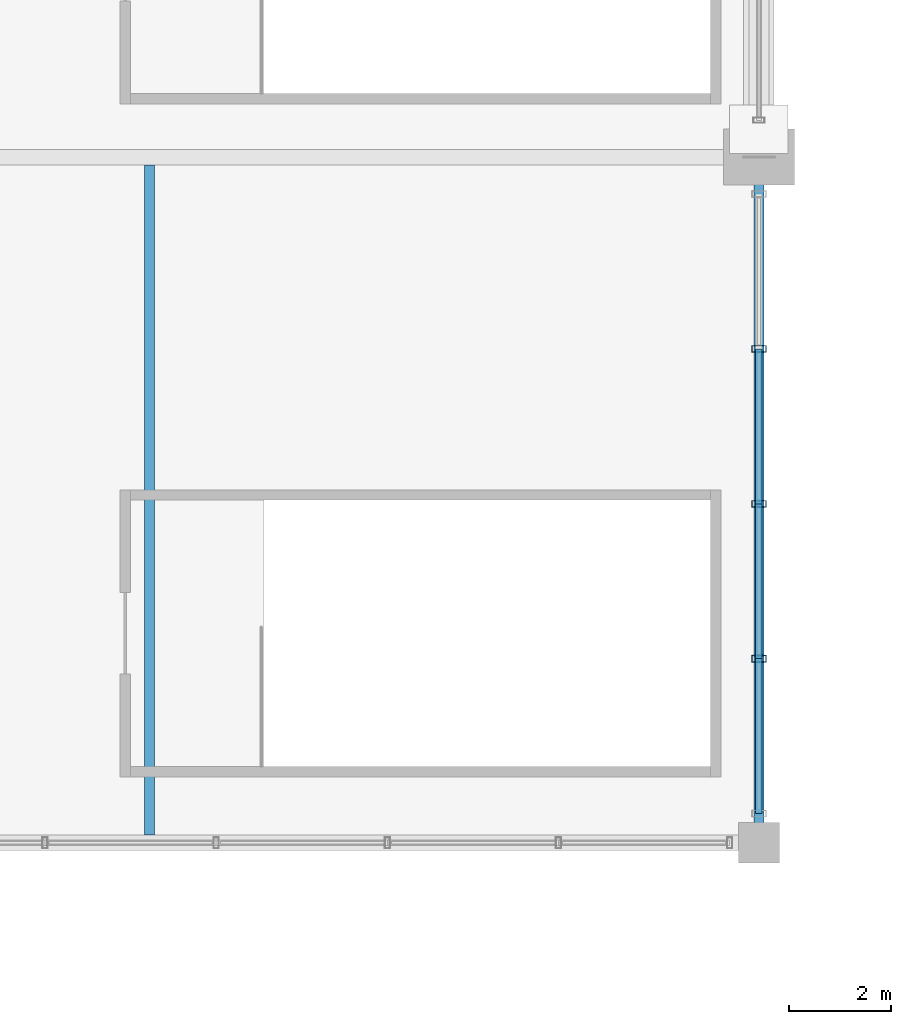
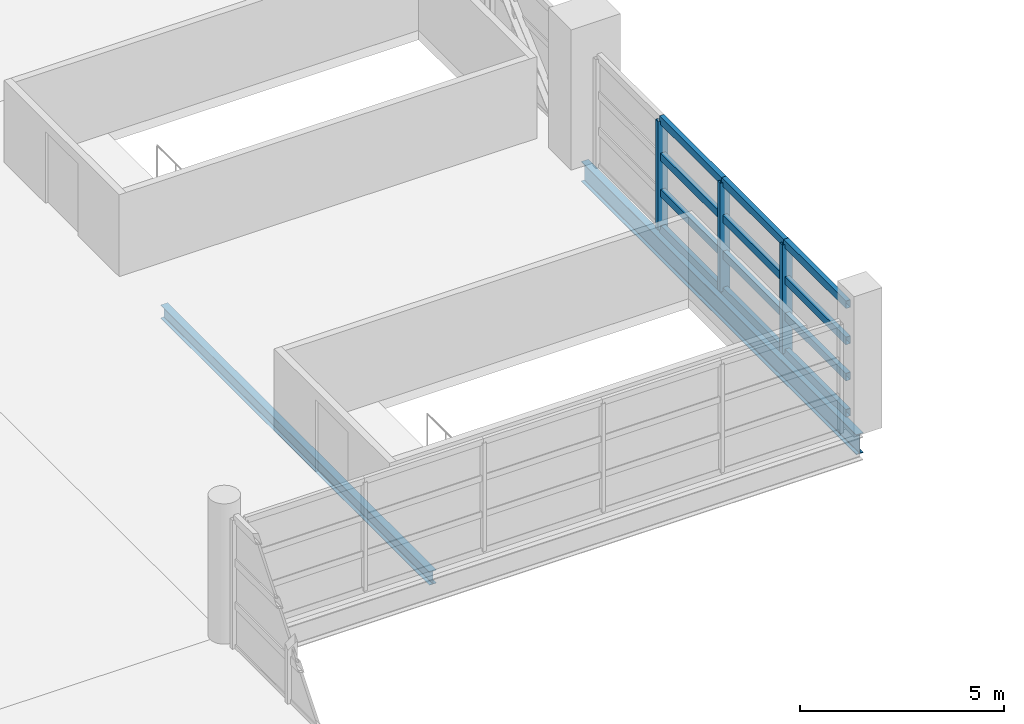
# One storey, part 23 of 136: 15 members, 2 beams, 1 element without a shape of its own.
"""IFC4 building model written with IfcOpenShell, lengths in metres."""

from ifc_helpers import new_model, si_unit, direction, frame, origin, origin_2d, place, context, subcontext, project, spatial, hollow_rectangle, i_section, extrude, material, material_profile, profile_set, type_object, element, aggregate, save


model = new_model("IFC4")

# Units and contexts
model_context = context("Model", 3, precision=1e-05, world=origin(), true_north=direction((0.0, 1.0)))
body_context = subcontext(model_context, "Body", "Model", "MODEL_VIEW")
ifc_project = project(units=[si_unit("LENGTHUNIT", "METRE"), si_unit("AREAUNIT", "SQUARE_METRE"), si_unit("VOLUMEUNIT", "CUBIC_METRE"), si_unit("PLANEANGLEUNIT", "RADIAN"), si_unit("MASSUNIT", "GRAM", prefix="KILO")], contexts=[model_context])

# Site, building, storey
site_placement = place(None, origin())
site = spatial("IfcSite", under=ifc_project, at=site_placement, CompositionType="ELEMENT")
building_placement = place(site_placement, origin())
building = spatial("IfcBuilding", under=site, at=building_placement, Name="Chuanluo Vaults Station", CompositionType="ELEMENT")
storey_placement = place(building_placement, frame((0.0, 0.0, 6.60009765625)))
storey = spatial("IfcBuildingStorey", under=building, at=storey_placement, Name="L01", CompositionType="ELEMENT", Elevation=6.60009765625)

# Beams
ifc_material_1 = material(Name="Steel Q355C", Category="steel")
ifc_material_profile_1 = material_profile(ifc_material_1, i_section(OverallWidth=0.199951171875, OverallDepth=0.60009765625, WebThickness=0.010986328125, FlangeThickness=0.01708984375, FilletRadius=0.01806640625, at=origin_2d()))
ifc_profile_set_1 = profile_set([ifc_material_profile_1], Name="Steel Q355C")
beam_type_1 = type_object("IfcBeamType", Name="BM-GRD-600", PredefinedType="USERDEFINED", material=ifc_profile_set_1)
beam_1_placement = place(storey_placement, frame((108.0, 54.0, -0.580078125), z_axis=(0.0, 1.0, 0.0), x_axis=(-1.0, 0.0, 0.0)))
element("IfcBeam", 1, at=beam_1_placement, inside=storey, type_object=beam_type_1, Name="Floor girder BM:GY:L01:0447", ObjectType="GIRDER", PredefinedType="USERDEFINED", context=body_context, shape_type="SweptSolid", body=[
    extrude(i_section(OverallWidth=0.199951171875, OverallDepth=0.60009765625, WebThickness=0.010986328125, FlangeThickness=0.01708984375, FilletRadius=0.01806640625, at=origin_2d()), origin(), (0.0, 0.0, 1.0), 13.5),
])
ifc_material_2 = material(Name="Steel Q355C", Category="steel")
ifc_material_profile_2 = material_profile(ifc_material_2, i_section(OverallWidth=0.199951171875, OverallDepth=0.39990234375, WebThickness=0.008056640625, FlangeThickness=0.012939453125, FilletRadius=0.01611328125, at=origin_2d()))
ifc_profile_set_2 = profile_set([ifc_material_profile_2], Name="Steel Q355C")
beam_type_2 = type_object("IfcBeamType", Name="BM-SEC-400", PredefinedType="BEAM", material=ifc_profile_set_2)
beam_2_placement = place(storey_placement, frame((96.0, 54.155029296875, -0.47998046875), z_axis=(0.0, 1.0, 0.0), x_axis=(-1.0, 0.0, 0.0)))
element("IfcBeam", 2, at=beam_2_placement, inside=storey, type_object=beam_type_2, Name="Composite secondary joist 0136", PredefinedType="BEAM", context=body_context, shape_type="SweptSolid", body=[
    extrude(i_section(OverallWidth=0.199951171875, OverallDepth=0.39990234375, WebThickness=0.008056640625, FlangeThickness=0.012939453125, FilletRadius=0.01611328125, at=origin_2d()), origin(), (0.0, 0.0, 1.0), 13.18994140625),
])

# Curtain wall, members
ifc_material_3 = material(Name="Anodised aluminium 6063-T6", Category="aluminium")
curtain_wall_type = type_object("IfcCurtainWallType", Name="CW-SYS-22", PredefinedType="NOTDEFINED", material=ifc_material_3)
curtain_wall_placement = place(storey_placement, origin())
curtain_wall = element("IfcCurtainWall", 3, at=curtain_wall_placement, inside=storey, type_object=curtain_wall_type, Name="Over-track east hall CW 54", PredefinedType="NOTDEFINED")
ifc_material_4 = material(Name="Anodised aluminium 6063-T6", Category="aluminium")
ifc_material_profile_3 = material_profile(ifc_material_4, hollow_rectangle(XDim=0.1298828125, YDim=0.280029296875, WallThickness=0.007080078125, at=origin_2d()))
ifc_profile_set_3 = profile_set([ifc_material_profile_3], Name="Anodised aluminium 6063-T6")
member_type_1 = type_object("IfcMemberType", Name="CWM-180", PredefinedType="MULLION", material=ifc_profile_set_3)
member_1_placement = place(storey_placement, frame((108.0, 63.72509765625, 0.0), z_axis=(0.0, 0.0, 1.0), x_axis=(0.0, -1.0, 0.0)))
member_1 = element("IfcMember", 4, at=member_1_placement, type_object=member_type_1, Name="Over-track east hall CW 54 mullion 2", PredefinedType="MULLION", context=body_context, shape_type="SweptSolid", body=[
    extrude(hollow_rectangle(XDim=0.1298828125, YDim=0.280029296875, WallThickness=0.007080078125, at=origin_2d()), origin(), (0.0, 0.0, 1.0), 3.25),
])
member_2_placement = place(storey_placement, frame((108.0, 60.675048828125, 0.0), z_axis=(0.0, 0.0, 1.0), x_axis=(0.0, -1.0, 0.0)))
member_2 = element("IfcMember", 5, at=member_2_placement, type_object=member_type_1, Name="Over-track east hall CW 54 mullion 3", PredefinedType="MULLION", context=body_context, shape_type="SweptSolid", body=[
    extrude(hollow_rectangle(XDim=0.1298828125, YDim=0.280029296875, WallThickness=0.007080078125, at=origin_2d()), origin(), (0.0, 0.0, 1.0), 3.25),
])
member_3_placement = place(storey_placement, frame((108.0, 57.625, 0.0), z_axis=(0.0, 0.0, 1.0), x_axis=(0.0, -1.0, 0.0)))
member_3 = element("IfcMember", 6, at=member_3_placement, type_object=member_type_1, Name="Over-track east hall CW 54 mullion 4", PredefinedType="MULLION", context=body_context, shape_type="SweptSolid", body=[
    extrude(hollow_rectangle(XDim=0.1298828125, YDim=0.280029296875, WallThickness=0.007080078125, at=origin_2d()), origin(), (0.0, 0.0, 1.0), 3.25),
])
ifc_material_5 = material(Name="Anodised aluminium 6063-T6", Category="aluminium")
ifc_material_profile_4 = material_profile(ifc_material_5, hollow_rectangle(XDim=0.1298828125, YDim=0.22998046875, WallThickness=0.006103515625, at=origin_2d()))
ifc_profile_set_4 = profile_set([ifc_material_profile_4], Name="Anodised aluminium 6063-T6")
member_type_2 = type_object("IfcMemberType", Name="CWT-150", PredefinedType="USERDEFINED", material=ifc_profile_set_4)
member_4_placement = place(storey_placement, frame((108.0, 63.72509765625, 0.0), z_axis=(0.0, -1.0, 0.0), x_axis=(1.0, 0.0, 0.0)))
member_4 = element("IfcMember", 7, at=member_4_placement, type_object=member_type_2, Name="Over-track east hall CW 54 transom 2.1", ObjectType="TRANSOM", PredefinedType="USERDEFINED", context=body_context, shape_type="SweptSolid", body=[
    extrude(hollow_rectangle(XDim=0.1298828125, YDim=0.22998046875, WallThickness=0.006103515625, at=origin_2d()), origin(), (0.0, 0.0, 1.0), 3.050048828125),
])
member_5_placement = place(storey_placement, frame((108.0, 63.72509765625, 1.083251953125), z_axis=(0.0, -1.0, 0.0), x_axis=(1.0, 0.0, 0.0)))
member_5 = element("IfcMember", 8, at=member_5_placement, type_object=member_type_2, Name="Over-track east hall CW 54 transom 2.2", ObjectType="TRANSOM", PredefinedType="USERDEFINED", context=body_context, shape_type="SweptSolid", body=[
    extrude(hollow_rectangle(XDim=0.1298828125, YDim=0.22998046875, WallThickness=0.006103515625, at=origin_2d()), origin(), (0.0, 0.0, 1.0), 3.050048828125),
])
member_6_placement = place(storey_placement, frame((108.0, 63.72509765625, 2.16650390625), z_axis=(0.0, -1.0, 0.0), x_axis=(1.0, 0.0, 0.0)))
member_6 = element("IfcMember", 9, at=member_6_placement, type_object=member_type_2, Name="Over-track east hall CW 54 transom 2.3", ObjectType="TRANSOM", PredefinedType="USERDEFINED", context=body_context, shape_type="SweptSolid", body=[
    extrude(hollow_rectangle(XDim=0.1298828125, YDim=0.22998046875, WallThickness=0.006103515625, at=origin_2d()), origin(), (0.0, 0.0, 1.0), 3.050048828125),
])
member_7_placement = place(storey_placement, frame((108.0, 63.72509765625, 3.25), z_axis=(0.0, -1.0, 0.0), x_axis=(1.0, 0.0, 0.0)))
member_7 = element("IfcMember", 10, at=member_7_placement, type_object=member_type_2, Name="Over-track east hall CW 54 transom 2.4", ObjectType="TRANSOM", PredefinedType="USERDEFINED", context=body_context, shape_type="SweptSolid", body=[
    extrude(hollow_rectangle(XDim=0.1298828125, YDim=0.22998046875, WallThickness=0.006103515625, at=origin_2d()), origin(), (0.0, 0.0, 1.0), 3.050048828125),
])
member_8_placement = place(storey_placement, frame((108.0, 60.675048828125, 0.0), z_axis=(0.0, -1.0, 0.0), x_axis=(1.0, 0.0, 0.0)))
member_8 = element("IfcMember", 11, at=member_8_placement, type_object=member_type_2, Name="Over-track east hall CW 54 transom 3.1", ObjectType="TRANSOM", PredefinedType="USERDEFINED", context=body_context, shape_type="SweptSolid", body=[
    extrude(hollow_rectangle(XDim=0.1298828125, YDim=0.22998046875, WallThickness=0.006103515625, at=origin_2d()), origin(), (0.0, 0.0, 1.0), 3.050048828125),
])
member_9_placement = place(storey_placement, frame((108.0, 60.675048828125, 1.083251953125), z_axis=(0.0, -1.0, 0.0), x_axis=(1.0, 0.0, 0.0)))
member_9 = element("IfcMember", 12, at=member_9_placement, type_object=member_type_2, Name="Over-track east hall CW 54 transom 3.2", ObjectType="TRANSOM", PredefinedType="USERDEFINED", context=body_context, shape_type="SweptSolid", body=[
    extrude(hollow_rectangle(XDim=0.1298828125, YDim=0.22998046875, WallThickness=0.006103515625, at=origin_2d()), origin(), (0.0, 0.0, 1.0), 3.050048828125),
])
member_10_placement = place(storey_placement, frame((108.0, 60.675048828125, 2.16650390625), z_axis=(0.0, -1.0, 0.0), x_axis=(1.0, 0.0, 0.0)))
member_10 = element("IfcMember", 13, at=member_10_placement, type_object=member_type_2, Name="Over-track east hall CW 54 transom 3.3", ObjectType="TRANSOM", PredefinedType="USERDEFINED", context=body_context, shape_type="SweptSolid", body=[
    extrude(hollow_rectangle(XDim=0.1298828125, YDim=0.22998046875, WallThickness=0.006103515625, at=origin_2d()), origin(), (0.0, 0.0, 1.0), 3.050048828125),
])
member_11_placement = place(storey_placement, frame((108.0, 60.675048828125, 3.25), z_axis=(0.0, -1.0, 0.0), x_axis=(1.0, 0.0, 0.0)))
member_11 = element("IfcMember", 14, at=member_11_placement, type_object=member_type_2, Name="Over-track east hall CW 54 transom 3.4", ObjectType="TRANSOM", PredefinedType="USERDEFINED", context=body_context, shape_type="SweptSolid", body=[
    extrude(hollow_rectangle(XDim=0.1298828125, YDim=0.22998046875, WallThickness=0.006103515625, at=origin_2d()), origin(), (0.0, 0.0, 1.0), 3.050048828125),
])
member_12_placement = place(storey_placement, frame((108.0, 57.625, 0.0), z_axis=(0.0, -1.0, 0.0), x_axis=(1.0, 0.0, 0.0)))
member_12 = element("IfcMember", 15, at=member_12_placement, type_object=member_type_2, Name="Over-track east hall CW 54 transom 4.1", ObjectType="TRANSOM", PredefinedType="USERDEFINED", context=body_context, shape_type="SweptSolid", body=[
    extrude(hollow_rectangle(XDim=0.1298828125, YDim=0.22998046875, WallThickness=0.006103515625, at=origin_2d()), origin(), (0.0, 0.0, 1.0), 3.050048828125),
])
member_13_placement = place(storey_placement, frame((108.0, 57.625, 1.083251953125), z_axis=(0.0, -1.0, 0.0), x_axis=(1.0, 0.0, 0.0)))
member_13 = element("IfcMember", 16, at=member_13_placement, type_object=member_type_2, Name="Over-track east hall CW 54 transom 4.2", ObjectType="TRANSOM", PredefinedType="USERDEFINED", context=body_context, shape_type="SweptSolid", body=[
    extrude(hollow_rectangle(XDim=0.1298828125, YDim=0.22998046875, WallThickness=0.006103515625, at=origin_2d()), origin(), (0.0, 0.0, 1.0), 3.050048828125),
])
member_14_placement = place(storey_placement, frame((108.0, 57.625, 2.16650390625), z_axis=(0.0, -1.0, 0.0), x_axis=(1.0, 0.0, 0.0)))
member_14 = element("IfcMember", 17, at=member_14_placement, type_object=member_type_2, Name="Over-track east hall CW 54 transom 4.3", ObjectType="TRANSOM", PredefinedType="USERDEFINED", context=body_context, shape_type="SweptSolid", body=[
    extrude(hollow_rectangle(XDim=0.1298828125, YDim=0.22998046875, WallThickness=0.006103515625, at=origin_2d()), origin(), (0.0, 0.0, 1.0), 3.050048828125),
])
member_15_placement = place(storey_placement, frame((108.0, 57.625, 3.25), z_axis=(0.0, -1.0, 0.0), x_axis=(1.0, 0.0, 0.0)))
member_15 = element("IfcMember", 18, at=member_15_placement, type_object=member_type_2, Name="Over-track east hall CW 54 transom 4.4", ObjectType="TRANSOM", PredefinedType="USERDEFINED", context=body_context, shape_type="SweptSolid", body=[
    extrude(hollow_rectangle(XDim=0.1298828125, YDim=0.22998046875, WallThickness=0.006103515625, at=origin_2d()), origin(), (0.0, 0.0, 1.0), 3.050048828125),
])
aggregate(curtain_wall, [member_1, member_2, member_3, member_4, member_5, member_6, member_7, member_8, member_9, member_10, member_11, member_12, member_13, member_14, member_15])

save(model, "model.ifc")
